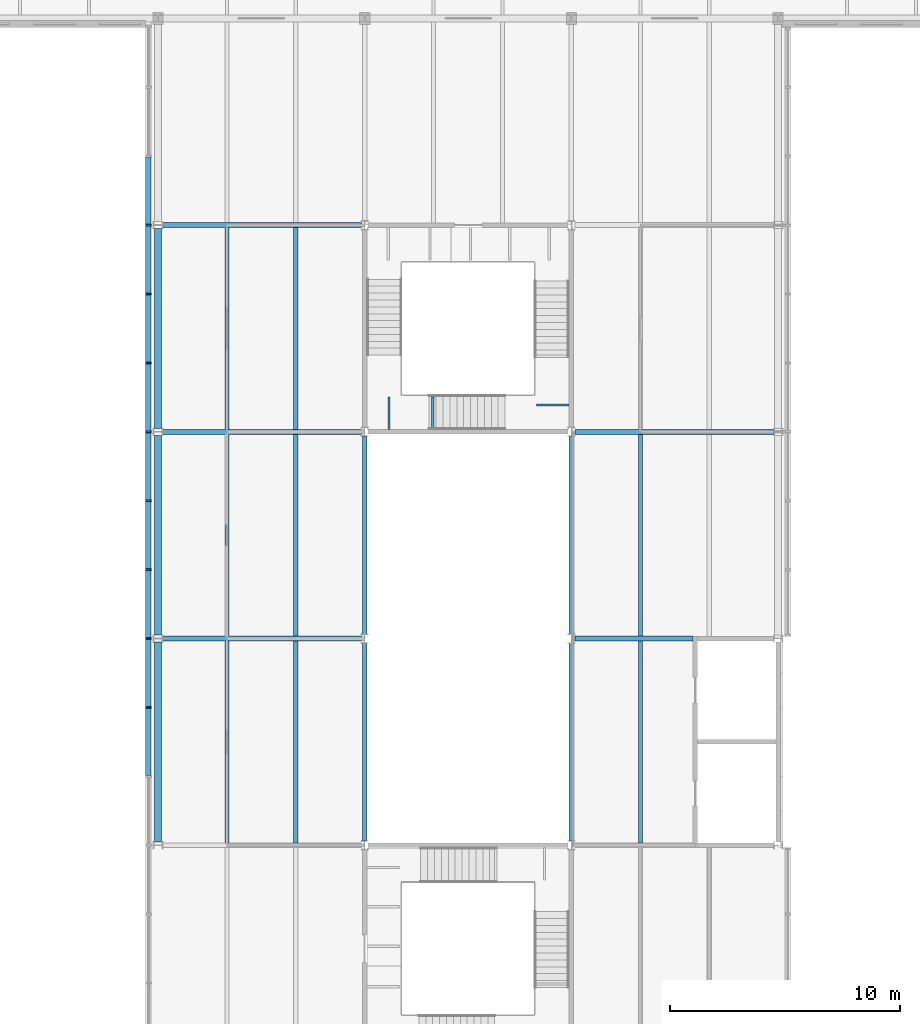
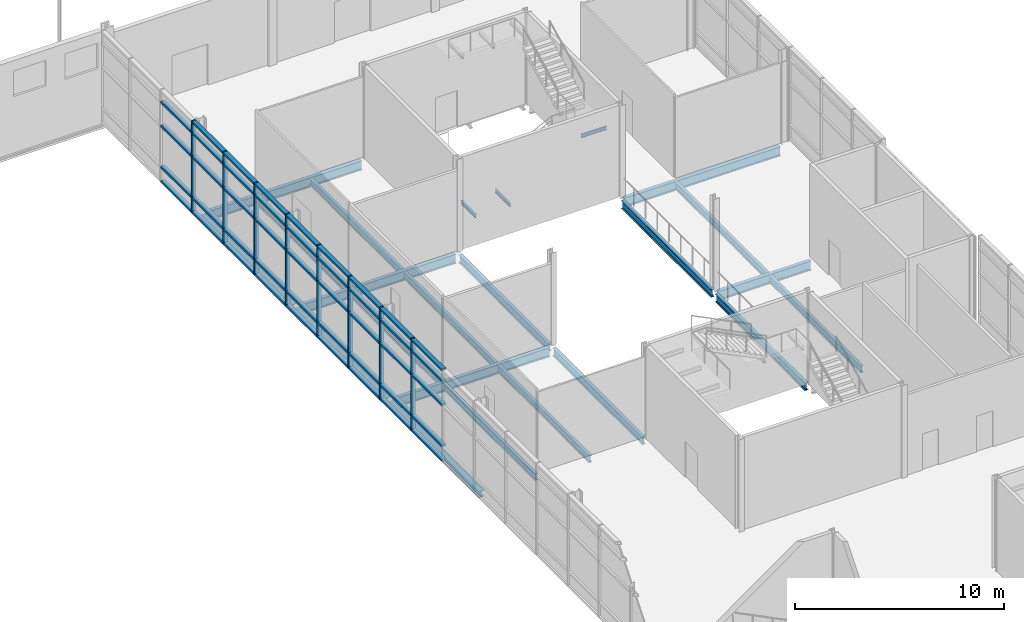
# One storey, part 17 of 56: 52 members, 23 beams, 1 element without a shape of its own.
"""IFC4 building model written with IfcOpenShell, lengths in metres."""

from ifc_helpers import new_model, si_unit, direction, frame, origin, origin_2d, place, context, subcontext, project, spatial, rectangle, i_section, extrude, material, material_profile, profile_set, type_object, element, aggregate, save


model = new_model("IFC4")

# Units and contexts
model_context = context("Model", 3, precision=1e-05, world=origin(), true_north=direction((0.0, 1.0)))
body_context = subcontext(model_context, "Body", "Model", "MODEL_VIEW")
ifc_project = project(units=[si_unit("LENGTHUNIT", "METRE"), si_unit("AREAUNIT", "SQUARE_METRE"), si_unit("VOLUMEUNIT", "CUBIC_METRE"), si_unit("PLANEANGLEUNIT", "RADIAN"), si_unit("MASSUNIT", "GRAM", prefix="KILO")], contexts=[model_context])

# Site, building, storey
site_placement = place(None, origin())
site = spatial("IfcSite", under=ifc_project, at=site_placement, CompositionType="ELEMENT")
building_placement = place(site_placement, origin())
building = spatial("IfcBuilding", under=site, at=building_placement, Name="Azimuth Sports and Learning Centre", CompositionType="ELEMENT")
storey_placement = place(building_placement, frame((0.0, 0.0, 5.39990234375)))
storey = spatial("IfcBuildingStorey", under=building, at=storey_placement, Name="L01", CompositionType="ELEMENT", Elevation=5.39990234375)

# Beams
ifc_material_1 = material(Name="Steel S355", Category="steel")
ifc_material_profile_1 = material_profile(ifc_material_1, i_section(OverallWidth=0.10009765625, OverallDepth=0.199951171875, WebThickness=0.005615234375, FlangeThickness=0.008544921875, FilletRadius=0.011962890625, at=origin_2d()), Name="IPE 200")
ifc_profile_set_1 = profile_set([ifc_material_profile_1], Name="Steel S355")
beam_type_1 = type_object("IfcBeamType", Name="Beam IPE 200", PredefinedType="BEAM", material=ifc_profile_set_1)
for number, where, z_axis, x_axis, name in (
    (1, (82.06005859375, 72.10009765625, 1.5), (0.0, 1.0, 0.0), (-1.0, 0.0, 0.0), "Landing bracket STD L01 1170"),
    (2, (83.9599609375, 72.10009765625, 1.5), (0.0, 1.0, 0.0), (-1.0, 0.0, 0.0), "Landing bracket STD L01 1171"),
    (3, (89.89990234375, 73.172607421875, 3.300048828125), (-1.0, 0.0, 0.0), (0.0, -1.0, 0.0), "Landing bracket STD L01 1172"),
):
    element("IfcBeam", number, at=place(storey_placement, frame(where, z_axis=z_axis, x_axis=x_axis)), inside=storey, type_object=beam_type_1, Name=name, PredefinedType="BEAM", context=body_context, shape_type="SweptSolid", body=[
        extrude(i_section(OverallWidth=0.10009765625, OverallDepth=0.199951171875, WebThickness=0.005615234375, FlangeThickness=0.008544921875, FilletRadius=0.011962890625, at=origin_2d()), origin(), (0.0, 0.0, 1.0), 1.409912109375),
    ])
ifc_material_2 = material(Name="Steel S355", Category="steel")
ifc_material_profile_2 = material_profile(ifc_material_2, i_section(OverallWidth=0.18994140625, OverallDepth=0.449951171875, WebThickness=0.009521484375, FlangeThickness=0.0146484375, FilletRadius=0.02099609375, at=origin_2d()), Name="IPE 450")
ifc_profile_set_2 = profile_set([ifc_material_profile_2], Name="Steel S355")
beam_type_2 = type_object("IfcBeamType", Name="Beam IPE 450", PredefinedType="BEAM", material=ifc_profile_set_2)
for number, where, z_axis, x_axis, name in (
    (4, (81.0, 54.199951171875, -0.375), (0.0, 1.0, 0.0), (-1.0, 0.0, 0.0), "Beam L01 ST 27"),
    (5, (81.0, 63.199951171875, -0.375), (0.0, 1.0, 0.0), (-1.0, 0.0, 0.0), "Beam L01 ST 28"),
    (6, (90.0, 54.199951171875, -0.375), (0.0, 1.0, 0.0), (-1.0, 0.0, 0.0), "Beam L01 ST 33"),
    (7, (90.0, 63.199951171875, -0.375), (0.0, 1.0, 0.0), (-1.0, 0.0, 0.0), "Beam L01 ST 34"),
):
    element("IfcBeam", number, at=place(storey_placement, frame(where, z_axis=z_axis, x_axis=x_axis)), inside=storey, type_object=beam_type_2, Name=name, PredefinedType="BEAM", context=body_context, shape_type="SweptSolid", body=[
        extrude(i_section(OverallWidth=0.18994140625, OverallDepth=0.449951171875, WebThickness=0.009521484375, FlangeThickness=0.0146484375, FilletRadius=0.02099609375, at=origin_2d()), origin(), (0.0, 0.0, 1.0), 8.60009765625),
    ])
ifc_material_3 = material(Name="Steel S355", Category="steel")
ifc_material_profile_3 = material_profile(ifc_material_3, i_section(OverallWidth=0.2099609375, OverallDepth=0.550048828125, WebThickness=0.010986328125, FlangeThickness=0.01708984375, FilletRadius=0.02392578125, at=origin_2d()), Name="IPE 550")
ifc_profile_set_3 = profile_set([ifc_material_profile_3], Name="Steel S355")
beam_type_3 = type_object("IfcBeamType", Name="Beam IPE 550", PredefinedType="BEAM", material=ifc_profile_set_3)
beam_1_placement = place(storey_placement, frame((72.199951171875, 63.0, -0.4248046875), z_axis=(1.0, 0.0, 0.0), x_axis=(0.0, 1.0, 0.0)))
element("IfcBeam", 8, at=beam_1_placement, inside=storey, type_object=beam_type_3, Name="Beam L01 ST 11", PredefinedType="BEAM", context=body_context, shape_type="SweptSolid", body=[
    extrude(i_section(OverallWidth=0.2099609375, OverallDepth=0.550048828125, WebThickness=0.010986328125, FlangeThickness=0.01708984375, FilletRadius=0.02392578125, at=origin_2d()), origin(), (0.0, 0.0, 1.0), 8.650146484375),
])
beam_2_placement = place(storey_placement, frame((90.14990234375, 63.0, -0.4248046875), z_axis=(1.0, 0.0, 0.0), x_axis=(0.0, 1.0, 0.0)))
element("IfcBeam", 9, at=beam_2_placement, inside=storey, type_object=beam_type_3, Name="Beam L01 ST 12", PredefinedType="BEAM", context=body_context, shape_type="SweptSolid", body=[
    extrude(i_section(OverallWidth=0.2099609375, OverallDepth=0.550048828125, WebThickness=0.010986328125, FlangeThickness=0.01708984375, FilletRadius=0.02392578125, at=origin_2d()), origin(), (0.0, 0.0, 1.0), 5.150146484375),
])
for number, where, z_axis, x_axis, name in (
    (10, (72.199951171875, 72.0, -0.4248046875), (1.0, 0.0, 0.0), (0.0, 1.0, 0.0), "Beam L01 ST 13"),
    (11, (90.14990234375, 72.0, -0.4248046875), (1.0, 0.0, 0.0), (0.0, 1.0, 0.0), "Beam L01 ST 14"),
    (12, (72.199951171875, 81.0, -0.4248046875), (1.0, 0.0, 0.0), (0.0, 1.0, 0.0), "Beam L01 ST 15"),
):
    element("IfcBeam", number, at=place(storey_placement, frame(where, z_axis=z_axis, x_axis=x_axis)), inside=storey, type_object=beam_type_3, Name=name, PredefinedType="BEAM", context=body_context, shape_type="SweptSolid", body=[
        extrude(i_section(OverallWidth=0.2099609375, OverallDepth=0.550048828125, WebThickness=0.010986328125, FlangeThickness=0.01708984375, FilletRadius=0.02392578125, at=origin_2d()), origin(), (0.0, 0.0, 1.0), 8.650146484375),
    ])
ifc_material_4 = material(Name="Steel S355", Category="steel")
ifc_material_profile_4 = material_profile(ifc_material_4, i_section(OverallWidth=0.300048828125, OverallDepth=0.35009765625, WebThickness=0.010009765625, FlangeThickness=0.017578125, FilletRadius=0.027099609375, at=origin_2d()), Name="HEA 360")
ifc_profile_set_4 = profile_set([ifc_material_profile_4], Name="Steel S355")
beam_type_4 = type_object("IfcBeamType", Name="Edge beam HEA 360", PredefinedType="SPANDREL", material=ifc_profile_set_4)
for number, where, z_axis, x_axis, name in (
    (13, (72.0, 54.14990234375, -0.324951171875), (0.0, 1.0, 0.0), (-1.0, 0.0, 0.0), "Edge beam L01 ST 20"),
    (14, (72.0, 63.14990234375, -0.324951171875), (0.0, 1.0, 0.0), (-1.0, 0.0, 0.0), "Edge beam L01 ST 21"),
    (15, (72.0, 72.14990234375, -0.324951171875), (0.0, 1.0, 0.0), (-1.0, 0.0, 0.0), "Edge beam L01 ST 22"),
):
    element("IfcBeam", number, at=place(storey_placement, frame(where, z_axis=z_axis, x_axis=x_axis)), inside=storey, type_object=beam_type_4, Name=name, PredefinedType="SPANDREL", context=body_context, shape_type="SweptSolid", body=[
        extrude(i_section(OverallWidth=0.300048828125, OverallDepth=0.35009765625, WebThickness=0.010009765625, FlangeThickness=0.017578125, FilletRadius=0.027099609375, at=origin_2d()), origin(), (0.0, 0.0, 1.0), 8.7001953125),
    ])
ifc_material_5 = material(Name="Steel S355", Category="steel")
ifc_material_profile_5 = material_profile(ifc_material_5, i_section(OverallWidth=0.179931640625, OverallDepth=0.39990234375, WebThickness=0.008544921875, FlangeThickness=0.013427734375, FilletRadius=0.02099609375, at=origin_2d()), Name="IPE 400")
ifc_profile_set_5 = profile_set([ifc_material_profile_5], Name="Steel S355")
beam_type_5 = type_object("IfcBeamType", Name="Joist IPE 400", PredefinedType="JOIST", material=ifc_profile_set_5)
for number, where, z_axis, x_axis, name in (
    (16, (75.0, 54.10498046875, -0.349853515625), (0.0, 1.0, 0.0), (-1.0, 0.0, 0.0), "Joist L01 ST 43"),
    (17, (75.0, 63.10498046875, -0.349853515625), (0.0, 1.0, 0.0), (-1.0, 0.0, 0.0), "Joist L01 ST 44"),
    (18, (75.0, 72.10498046875, -0.349853515625), (0.0, 1.0, 0.0), (-1.0, 0.0, 0.0), "Joist L01 ST 45"),
    (19, (78.0, 54.10498046875, -0.349853515625), (0.0, 1.0, 0.0), (-1.0, 0.0, 0.0), "Joist L01 ST 51"),
    (20, (78.0, 63.10498046875, -0.349853515625), (0.0, 1.0, 0.0), (-1.0, 0.0, 0.0), "Joist L01 ST 52"),
    (21, (78.0, 72.10498046875, -0.349853515625), (0.0, 1.0, 0.0), (-1.0, 0.0, 0.0), "Joist L01 ST 53"),
    (22, (93.0, 54.10498046875, -0.349853515625), (0.0, 1.0, 0.0), (-1.0, 0.0, 0.0), "Joist L01 ST 71"),
    (23, (93.0, 63.10498046875, -0.349853515625), (0.0, 1.0, 0.0), (-1.0, 0.0, 0.0), "Joist L01 ST 72"),
):
    element("IfcBeam", number, at=place(storey_placement, frame(where, z_axis=z_axis, x_axis=x_axis)), inside=storey, type_object=beam_type_5, Name=name, PredefinedType="JOIST", context=body_context, shape_type="SweptSolid", body=[
        extrude(i_section(OverallWidth=0.179931640625, OverallDepth=0.39990234375, WebThickness=0.008544921875, FlangeThickness=0.013427734375, FilletRadius=0.02099609375, at=origin_2d()), origin(), (0.0, 0.0, 1.0), 8.7900390625),
    ])

# Curtain wall, members
ifc_material_6 = material(Name="Aluminium and glass", Category="aluminium")
curtain_wall_type = type_object("IfcCurtainWallType", Name="Curtain wall podium stem 240", PredefinedType="NOTDEFINED", material=ifc_material_6)
curtain_wall_placement = place(storey_placement, origin())
curtain_wall = element("IfcCurtainWall", 24, at=curtain_wall_placement, inside=storey, type_object=curtain_wall_type, Name="Curtain wall CW01-003", PredefinedType="NOTDEFINED")
ifc_material_7 = material(Name="Aluminium", Category="aluminium")
ifc_material_profile_6 = material_profile(ifc_material_7, rectangle(XDim=0.239990234375, YDim=0.080078125, at=origin_2d()), Name="Mullion 80x240")
ifc_profile_set_6 = profile_set([ifc_material_profile_6], Name="Aluminium")
member_type_1 = type_object("IfcMemberType", Name="Mullion 80x240", PredefinedType="MULLION", material=ifc_profile_set_6)
member_1_placement = place(storey_placement, frame((71.580078125, 81.0, 0.0), z_axis=(0.0, 0.0, 1.0), x_axis=(1.0, 0.0, 0.0)))
member_1 = element("IfcMember", 25, at=member_1_placement, type_object=member_type_1, Name="CW01-003 mullion 4", PredefinedType="MULLION", context=body_context, shape_type="SweptSolid", body=[
    extrude(rectangle(XDim=0.239990234375, YDim=0.080078125, at=origin_2d()), origin(), (0.0, 0.0, 1.0), 5.400146484375),
])
member_2_placement = place(storey_placement, frame((71.580078125, 78.0, 0.0), z_axis=(0.0, 0.0, 1.0), x_axis=(1.0, 0.0, 0.0)))
member_2 = element("IfcMember", 26, at=member_2_placement, type_object=member_type_1, Name="CW01-003 mullion 5", PredefinedType="MULLION", context=body_context, shape_type="SweptSolid", body=[
    extrude(rectangle(XDim=0.239990234375, YDim=0.080078125, at=origin_2d()), origin(), (0.0, 0.0, 1.0), 5.400146484375),
])
member_3_placement = place(storey_placement, frame((71.580078125, 75.0, 0.0), z_axis=(0.0, 0.0, 1.0), x_axis=(1.0, 0.0, 0.0)))
member_3 = element("IfcMember", 27, at=member_3_placement, type_object=member_type_1, Name="CW01-003 mullion 6", PredefinedType="MULLION", context=body_context, shape_type="SweptSolid", body=[
    extrude(rectangle(XDim=0.239990234375, YDim=0.080078125, at=origin_2d()), origin(), (0.0, 0.0, 1.0), 5.400146484375),
])
member_4_placement = place(storey_placement, frame((71.580078125, 72.0, 0.0), z_axis=(0.0, 0.0, 1.0), x_axis=(1.0, 0.0, 0.0)))
member_4 = element("IfcMember", 28, at=member_4_placement, type_object=member_type_1, Name="CW01-003 mullion 7", PredefinedType="MULLION", context=body_context, shape_type="SweptSolid", body=[
    extrude(rectangle(XDim=0.239990234375, YDim=0.080078125, at=origin_2d()), origin(), (0.0, 0.0, 1.0), 5.400146484375),
])
member_5_placement = place(storey_placement, frame((71.580078125, 69.0, 0.0), z_axis=(0.0, 0.0, 1.0), x_axis=(1.0, 0.0, 0.0)))
member_5 = element("IfcMember", 29, at=member_5_placement, type_object=member_type_1, Name="CW01-003 mullion 8", PredefinedType="MULLION", context=body_context, shape_type="SweptSolid", body=[
    extrude(rectangle(XDim=0.239990234375, YDim=0.080078125, at=origin_2d()), origin(), (0.0, 0.0, 1.0), 5.400146484375),
])
member_6_placement = place(storey_placement, frame((71.580078125, 66.0, 0.0), z_axis=(0.0, 0.0, 1.0), x_axis=(1.0, 0.0, 0.0)))
member_6 = element("IfcMember", 30, at=member_6_placement, type_object=member_type_1, Name="CW01-003 mullion 9", PredefinedType="MULLION", context=body_context, shape_type="SweptSolid", body=[
    extrude(rectangle(XDim=0.239990234375, YDim=0.080078125, at=origin_2d()), origin(), (0.0, 0.0, 1.0), 5.400146484375),
])
member_7_placement = place(storey_placement, frame((71.580078125, 63.0, 0.0), z_axis=(0.0, 0.0, 1.0), x_axis=(1.0, 0.0, 0.0)))
member_7 = element("IfcMember", 31, at=member_7_placement, type_object=member_type_1, Name="CW01-003 mullion 10", PredefinedType="MULLION", context=body_context, shape_type="SweptSolid", body=[
    extrude(rectangle(XDim=0.239990234375, YDim=0.080078125, at=origin_2d()), origin(), (0.0, 0.0, 1.0), 5.400146484375),
])
member_8_placement = place(storey_placement, frame((71.580078125, 60.0, 0.0), z_axis=(0.0, 0.0, 1.0), x_axis=(1.0, 0.0, 0.0)))
member_8 = element("IfcMember", 32, at=member_8_placement, type_object=member_type_1, Name="CW01-003 mullion 11", PredefinedType="MULLION", context=body_context, shape_type="SweptSolid", body=[
    extrude(rectangle(XDim=0.239990234375, YDim=0.080078125, at=origin_2d()), origin(), (0.0, 0.0, 1.0), 5.400146484375),
])
ifc_material_8 = material(Name="Aluminium", Category="aluminium")
ifc_material_profile_7 = material_profile(ifc_material_8, rectangle(XDim=0.239990234375, YDim=0.1201171875, at=origin_2d()), Name="Transom 120x240")
ifc_profile_set_7 = profile_set([ifc_material_profile_7], Name="Aluminium")
member_type_2 = type_object("IfcMemberType", Name="Transom 120x240", PredefinedType="USERDEFINED", material=ifc_profile_set_7)
member_9_placement = place(storey_placement, frame((71.580078125, 83.9599609375, 0.06005859375), z_axis=(0.0, -1.0, 0.0), x_axis=(1.0, 0.0, 0.0)))
member_9 = element("IfcMember", 33, at=member_9_placement, type_object=member_type_2, Name="CW01-003 transom 3.1", ObjectType="TRANSOM", PredefinedType="USERDEFINED", context=body_context, shape_type="SweptSolid", body=[
    extrude(rectangle(XDim=0.239990234375, YDim=0.1201171875, at=origin_2d()), origin(), (0.0, 0.0, 1.0), 2.919921875),
])
member_10_placement = place(storey_placement, frame((71.580078125, 83.9599609375, 0.900146484375), z_axis=(0.0, -1.0, 0.0), x_axis=(1.0, 0.0, 0.0)))
member_10 = element("IfcMember", 34, at=member_10_placement, type_object=member_type_2, Name="CW01-003 transom 3.2", ObjectType="TRANSOM", PredefinedType="USERDEFINED", context=body_context, shape_type="SweptSolid", body=[
    extrude(rectangle(XDim=0.239990234375, YDim=0.1201171875, at=origin_2d()), origin(), (0.0, 0.0, 1.0), 2.919921875),
])
member_11_placement = place(storey_placement, frame((71.580078125, 83.9599609375, 3.300048828125), z_axis=(0.0, -1.0, 0.0), x_axis=(1.0, 0.0, 0.0)))
member_11 = element("IfcMember", 35, at=member_11_placement, type_object=member_type_2, Name="CW01-003 transom 3.3", ObjectType="TRANSOM", PredefinedType="USERDEFINED", context=body_context, shape_type="SweptSolid", body=[
    extrude(rectangle(XDim=0.239990234375, YDim=0.1201171875, at=origin_2d()), origin(), (0.0, 0.0, 1.0), 2.919921875),
])
member_12_placement = place(storey_placement, frame((71.580078125, 83.9599609375, 4.7001953125), z_axis=(0.0, -1.0, 0.0), x_axis=(1.0, 0.0, 0.0)))
member_12 = element("IfcMember", 36, at=member_12_placement, type_object=member_type_2, Name="CW01-003 transom 3.4", ObjectType="TRANSOM", PredefinedType="USERDEFINED", context=body_context, shape_type="SweptSolid", body=[
    extrude(rectangle(XDim=0.239990234375, YDim=0.1201171875, at=origin_2d()), origin(), (0.0, 0.0, 1.0), 2.919921875),
])
member_13_placement = place(storey_placement, frame((71.580078125, 80.9599609375, 0.06005859375), z_axis=(0.0, -1.0, 0.0), x_axis=(1.0, 0.0, 0.0)))
member_13 = element("IfcMember", 37, at=member_13_placement, type_object=member_type_2, Name="CW01-003 transom 4.1", ObjectType="TRANSOM", PredefinedType="USERDEFINED", context=body_context, shape_type="SweptSolid", body=[
    extrude(rectangle(XDim=0.239990234375, YDim=0.1201171875, at=origin_2d()), origin(), (0.0, 0.0, 1.0), 2.919921875),
])
member_14_placement = place(storey_placement, frame((71.580078125, 80.9599609375, 0.900146484375), z_axis=(0.0, -1.0, 0.0), x_axis=(1.0, 0.0, 0.0)))
member_14 = element("IfcMember", 38, at=member_14_placement, type_object=member_type_2, Name="CW01-003 transom 4.2", ObjectType="TRANSOM", PredefinedType="USERDEFINED", context=body_context, shape_type="SweptSolid", body=[
    extrude(rectangle(XDim=0.239990234375, YDim=0.1201171875, at=origin_2d()), origin(), (0.0, 0.0, 1.0), 2.919921875),
])
member_15_placement = place(storey_placement, frame((71.580078125, 80.9599609375, 3.300048828125), z_axis=(0.0, -1.0, 0.0), x_axis=(1.0, 0.0, 0.0)))
member_15 = element("IfcMember", 39, at=member_15_placement, type_object=member_type_2, Name="CW01-003 transom 4.3", ObjectType="TRANSOM", PredefinedType="USERDEFINED", context=body_context, shape_type="SweptSolid", body=[
    extrude(rectangle(XDim=0.239990234375, YDim=0.1201171875, at=origin_2d()), origin(), (0.0, 0.0, 1.0), 2.919921875),
])
member_16_placement = place(storey_placement, frame((71.580078125, 80.9599609375, 4.7001953125), z_axis=(0.0, -1.0, 0.0), x_axis=(1.0, 0.0, 0.0)))
member_16 = element("IfcMember", 40, at=member_16_placement, type_object=member_type_2, Name="CW01-003 transom 4.4", ObjectType="TRANSOM", PredefinedType="USERDEFINED", context=body_context, shape_type="SweptSolid", body=[
    extrude(rectangle(XDim=0.239990234375, YDim=0.1201171875, at=origin_2d()), origin(), (0.0, 0.0, 1.0), 2.919921875),
])
member_17_placement = place(storey_placement, frame((71.580078125, 80.9599609375, 5.340087890625), z_axis=(0.0, -1.0, 0.0), x_axis=(1.0, 0.0, 0.0)))
member_17 = element("IfcMember", 41, at=member_17_placement, type_object=member_type_2, Name="CW01-003 transom 4.5", ObjectType="TRANSOM", PredefinedType="USERDEFINED", context=body_context, shape_type="SweptSolid", body=[
    extrude(rectangle(XDim=0.239990234375, YDim=0.1201171875, at=origin_2d()), origin(), (0.0, 0.0, 1.0), 2.919921875),
])
member_18_placement = place(storey_placement, frame((71.580078125, 77.9599609375, 0.06005859375), z_axis=(0.0, -1.0, 0.0), x_axis=(1.0, 0.0, 0.0)))
member_18 = element("IfcMember", 42, at=member_18_placement, type_object=member_type_2, Name="CW01-003 transom 5.1", ObjectType="TRANSOM", PredefinedType="USERDEFINED", context=body_context, shape_type="SweptSolid", body=[
    extrude(rectangle(XDim=0.239990234375, YDim=0.1201171875, at=origin_2d()), origin(), (0.0, 0.0, 1.0), 2.919921875),
])
member_19_placement = place(storey_placement, frame((71.580078125, 77.9599609375, 0.900146484375), z_axis=(0.0, -1.0, 0.0), x_axis=(1.0, 0.0, 0.0)))
member_19 = element("IfcMember", 43, at=member_19_placement, type_object=member_type_2, Name="CW01-003 transom 5.2", ObjectType="TRANSOM", PredefinedType="USERDEFINED", context=body_context, shape_type="SweptSolid", body=[
    extrude(rectangle(XDim=0.239990234375, YDim=0.1201171875, at=origin_2d()), origin(), (0.0, 0.0, 1.0), 2.919921875),
])
member_20_placement = place(storey_placement, frame((71.580078125, 77.9599609375, 3.300048828125), z_axis=(0.0, -1.0, 0.0), x_axis=(1.0, 0.0, 0.0)))
member_20 = element("IfcMember", 44, at=member_20_placement, type_object=member_type_2, Name="CW01-003 transom 5.3", ObjectType="TRANSOM", PredefinedType="USERDEFINED", context=body_context, shape_type="SweptSolid", body=[
    extrude(rectangle(XDim=0.239990234375, YDim=0.1201171875, at=origin_2d()), origin(), (0.0, 0.0, 1.0), 2.919921875),
])
member_21_placement = place(storey_placement, frame((71.580078125, 77.9599609375, 4.7001953125), z_axis=(0.0, -1.0, 0.0), x_axis=(1.0, 0.0, 0.0)))
member_21 = element("IfcMember", 45, at=member_21_placement, type_object=member_type_2, Name="CW01-003 transom 5.4", ObjectType="TRANSOM", PredefinedType="USERDEFINED", context=body_context, shape_type="SweptSolid", body=[
    extrude(rectangle(XDim=0.239990234375, YDim=0.1201171875, at=origin_2d()), origin(), (0.0, 0.0, 1.0), 2.919921875),
])
member_22_placement = place(storey_placement, frame((71.580078125, 77.9599609375, 5.340087890625), z_axis=(0.0, -1.0, 0.0), x_axis=(1.0, 0.0, 0.0)))
member_22 = element("IfcMember", 46, at=member_22_placement, type_object=member_type_2, Name="CW01-003 transom 5.5", ObjectType="TRANSOM", PredefinedType="USERDEFINED", context=body_context, shape_type="SweptSolid", body=[
    extrude(rectangle(XDim=0.239990234375, YDim=0.1201171875, at=origin_2d()), origin(), (0.0, 0.0, 1.0), 2.919921875),
])
member_23_placement = place(storey_placement, frame((71.580078125, 74.9599609375, 0.06005859375), z_axis=(0.0, -1.0, 0.0), x_axis=(1.0, 0.0, 0.0)))
member_23 = element("IfcMember", 47, at=member_23_placement, type_object=member_type_2, Name="CW01-003 transom 6.1", ObjectType="TRANSOM", PredefinedType="USERDEFINED", context=body_context, shape_type="SweptSolid", body=[
    extrude(rectangle(XDim=0.239990234375, YDim=0.1201171875, at=origin_2d()), origin(), (0.0, 0.0, 1.0), 2.919921875),
])
member_24_placement = place(storey_placement, frame((71.580078125, 74.9599609375, 0.900146484375), z_axis=(0.0, -1.0, 0.0), x_axis=(1.0, 0.0, 0.0)))
member_24 = element("IfcMember", 48, at=member_24_placement, type_object=member_type_2, Name="CW01-003 transom 6.2", ObjectType="TRANSOM", PredefinedType="USERDEFINED", context=body_context, shape_type="SweptSolid", body=[
    extrude(rectangle(XDim=0.239990234375, YDim=0.1201171875, at=origin_2d()), origin(), (0.0, 0.0, 1.0), 2.919921875),
])
member_25_placement = place(storey_placement, frame((71.580078125, 74.9599609375, 3.300048828125), z_axis=(0.0, -1.0, 0.0), x_axis=(1.0, 0.0, 0.0)))
member_25 = element("IfcMember", 49, at=member_25_placement, type_object=member_type_2, Name="CW01-003 transom 6.3", ObjectType="TRANSOM", PredefinedType="USERDEFINED", context=body_context, shape_type="SweptSolid", body=[
    extrude(rectangle(XDim=0.239990234375, YDim=0.1201171875, at=origin_2d()), origin(), (0.0, 0.0, 1.0), 2.919921875),
])
member_26_placement = place(storey_placement, frame((71.580078125, 74.9599609375, 4.7001953125), z_axis=(0.0, -1.0, 0.0), x_axis=(1.0, 0.0, 0.0)))
member_26 = element("IfcMember", 50, at=member_26_placement, type_object=member_type_2, Name="CW01-003 transom 6.4", ObjectType="TRANSOM", PredefinedType="USERDEFINED", context=body_context, shape_type="SweptSolid", body=[
    extrude(rectangle(XDim=0.239990234375, YDim=0.1201171875, at=origin_2d()), origin(), (0.0, 0.0, 1.0), 2.919921875),
])
member_27_placement = place(storey_placement, frame((71.580078125, 74.9599609375, 5.340087890625), z_axis=(0.0, -1.0, 0.0), x_axis=(1.0, 0.0, 0.0)))
member_27 = element("IfcMember", 51, at=member_27_placement, type_object=member_type_2, Name="CW01-003 transom 6.5", ObjectType="TRANSOM", PredefinedType="USERDEFINED", context=body_context, shape_type="SweptSolid", body=[
    extrude(rectangle(XDim=0.239990234375, YDim=0.1201171875, at=origin_2d()), origin(), (0.0, 0.0, 1.0), 2.919921875),
])
member_28_placement = place(storey_placement, frame((71.580078125, 71.9599609375, 0.06005859375), z_axis=(0.0, -1.0, 0.0), x_axis=(1.0, 0.0, 0.0)))
member_28 = element("IfcMember", 52, at=member_28_placement, type_object=member_type_2, Name="CW01-003 transom 7.1", ObjectType="TRANSOM", PredefinedType="USERDEFINED", context=body_context, shape_type="SweptSolid", body=[
    extrude(rectangle(XDim=0.239990234375, YDim=0.1201171875, at=origin_2d()), origin(), (0.0, 0.0, 1.0), 2.919921875),
])
member_29_placement = place(storey_placement, frame((71.580078125, 71.9599609375, 0.900146484375), z_axis=(0.0, -1.0, 0.0), x_axis=(1.0, 0.0, 0.0)))
member_29 = element("IfcMember", 53, at=member_29_placement, type_object=member_type_2, Name="CW01-003 transom 7.2", ObjectType="TRANSOM", PredefinedType="USERDEFINED", context=body_context, shape_type="SweptSolid", body=[
    extrude(rectangle(XDim=0.239990234375, YDim=0.1201171875, at=origin_2d()), origin(), (0.0, 0.0, 1.0), 2.919921875),
])
member_30_placement = place(storey_placement, frame((71.580078125, 71.9599609375, 3.300048828125), z_axis=(0.0, -1.0, 0.0), x_axis=(1.0, 0.0, 0.0)))
member_30 = element("IfcMember", 54, at=member_30_placement, type_object=member_type_2, Name="CW01-003 transom 7.3", ObjectType="TRANSOM", PredefinedType="USERDEFINED", context=body_context, shape_type="SweptSolid", body=[
    extrude(rectangle(XDim=0.239990234375, YDim=0.1201171875, at=origin_2d()), origin(), (0.0, 0.0, 1.0), 2.919921875),
])
member_31_placement = place(storey_placement, frame((71.580078125, 71.9599609375, 4.7001953125), z_axis=(0.0, -1.0, 0.0), x_axis=(1.0, 0.0, 0.0)))
member_31 = element("IfcMember", 55, at=member_31_placement, type_object=member_type_2, Name="CW01-003 transom 7.4", ObjectType="TRANSOM", PredefinedType="USERDEFINED", context=body_context, shape_type="SweptSolid", body=[
    extrude(rectangle(XDim=0.239990234375, YDim=0.1201171875, at=origin_2d()), origin(), (0.0, 0.0, 1.0), 2.919921875),
])
member_32_placement = place(storey_placement, frame((71.580078125, 71.9599609375, 5.340087890625), z_axis=(0.0, -1.0, 0.0), x_axis=(1.0, 0.0, 0.0)))
member_32 = element("IfcMember", 56, at=member_32_placement, type_object=member_type_2, Name="CW01-003 transom 7.5", ObjectType="TRANSOM", PredefinedType="USERDEFINED", context=body_context, shape_type="SweptSolid", body=[
    extrude(rectangle(XDim=0.239990234375, YDim=0.1201171875, at=origin_2d()), origin(), (0.0, 0.0, 1.0), 2.919921875),
])
member_33_placement = place(storey_placement, frame((71.580078125, 68.9599609375, 0.06005859375), z_axis=(0.0, -1.0, 0.0), x_axis=(1.0, 0.0, 0.0)))
member_33 = element("IfcMember", 57, at=member_33_placement, type_object=member_type_2, Name="CW01-003 transom 8.1", ObjectType="TRANSOM", PredefinedType="USERDEFINED", context=body_context, shape_type="SweptSolid", body=[
    extrude(rectangle(XDim=0.239990234375, YDim=0.1201171875, at=origin_2d()), origin(), (0.0, 0.0, 1.0), 2.919921875),
])
member_34_placement = place(storey_placement, frame((71.580078125, 68.9599609375, 0.900146484375), z_axis=(0.0, -1.0, 0.0), x_axis=(1.0, 0.0, 0.0)))
member_34 = element("IfcMember", 58, at=member_34_placement, type_object=member_type_2, Name="CW01-003 transom 8.2", ObjectType="TRANSOM", PredefinedType="USERDEFINED", context=body_context, shape_type="SweptSolid", body=[
    extrude(rectangle(XDim=0.239990234375, YDim=0.1201171875, at=origin_2d()), origin(), (0.0, 0.0, 1.0), 2.919921875),
])
member_35_placement = place(storey_placement, frame((71.580078125, 68.9599609375, 3.300048828125), z_axis=(0.0, -1.0, 0.0), x_axis=(1.0, 0.0, 0.0)))
member_35 = element("IfcMember", 59, at=member_35_placement, type_object=member_type_2, Name="CW01-003 transom 8.3", ObjectType="TRANSOM", PredefinedType="USERDEFINED", context=body_context, shape_type="SweptSolid", body=[
    extrude(rectangle(XDim=0.239990234375, YDim=0.1201171875, at=origin_2d()), origin(), (0.0, 0.0, 1.0), 2.919921875),
])
member_36_placement = place(storey_placement, frame((71.580078125, 68.9599609375, 4.7001953125), z_axis=(0.0, -1.0, 0.0), x_axis=(1.0, 0.0, 0.0)))
member_36 = element("IfcMember", 60, at=member_36_placement, type_object=member_type_2, Name="CW01-003 transom 8.4", ObjectType="TRANSOM", PredefinedType="USERDEFINED", context=body_context, shape_type="SweptSolid", body=[
    extrude(rectangle(XDim=0.239990234375, YDim=0.1201171875, at=origin_2d()), origin(), (0.0, 0.0, 1.0), 2.919921875),
])
member_37_placement = place(storey_placement, frame((71.580078125, 68.9599609375, 5.340087890625), z_axis=(0.0, -1.0, 0.0), x_axis=(1.0, 0.0, 0.0)))
member_37 = element("IfcMember", 61, at=member_37_placement, type_object=member_type_2, Name="CW01-003 transom 8.5", ObjectType="TRANSOM", PredefinedType="USERDEFINED", context=body_context, shape_type="SweptSolid", body=[
    extrude(rectangle(XDim=0.239990234375, YDim=0.1201171875, at=origin_2d()), origin(), (0.0, 0.0, 1.0), 2.919921875),
])
member_38_placement = place(storey_placement, frame((71.580078125, 65.9599609375, 0.06005859375), z_axis=(0.0, -1.0, 0.0), x_axis=(1.0, 0.0, 0.0)))
member_38 = element("IfcMember", 62, at=member_38_placement, type_object=member_type_2, Name="CW01-003 transom 9.1", ObjectType="TRANSOM", PredefinedType="USERDEFINED", context=body_context, shape_type="SweptSolid", body=[
    extrude(rectangle(XDim=0.239990234375, YDim=0.1201171875, at=origin_2d()), origin(), (0.0, 0.0, 1.0), 2.919921875),
])
member_39_placement = place(storey_placement, frame((71.580078125, 65.9599609375, 0.900146484375), z_axis=(0.0, -1.0, 0.0), x_axis=(1.0, 0.0, 0.0)))
member_39 = element("IfcMember", 63, at=member_39_placement, type_object=member_type_2, Name="CW01-003 transom 9.2", ObjectType="TRANSOM", PredefinedType="USERDEFINED", context=body_context, shape_type="SweptSolid", body=[
    extrude(rectangle(XDim=0.239990234375, YDim=0.1201171875, at=origin_2d()), origin(), (0.0, 0.0, 1.0), 2.919921875),
])
member_40_placement = place(storey_placement, frame((71.580078125, 65.9599609375, 3.300048828125), z_axis=(0.0, -1.0, 0.0), x_axis=(1.0, 0.0, 0.0)))
member_40 = element("IfcMember", 64, at=member_40_placement, type_object=member_type_2, Name="CW01-003 transom 9.3", ObjectType="TRANSOM", PredefinedType="USERDEFINED", context=body_context, shape_type="SweptSolid", body=[
    extrude(rectangle(XDim=0.239990234375, YDim=0.1201171875, at=origin_2d()), origin(), (0.0, 0.0, 1.0), 2.919921875),
])
member_41_placement = place(storey_placement, frame((71.580078125, 65.9599609375, 4.7001953125), z_axis=(0.0, -1.0, 0.0), x_axis=(1.0, 0.0, 0.0)))
member_41 = element("IfcMember", 65, at=member_41_placement, type_object=member_type_2, Name="CW01-003 transom 9.4", ObjectType="TRANSOM", PredefinedType="USERDEFINED", context=body_context, shape_type="SweptSolid", body=[
    extrude(rectangle(XDim=0.239990234375, YDim=0.1201171875, at=origin_2d()), origin(), (0.0, 0.0, 1.0), 2.919921875),
])
member_42_placement = place(storey_placement, frame((71.580078125, 65.9599609375, 5.340087890625), z_axis=(0.0, -1.0, 0.0), x_axis=(1.0, 0.0, 0.0)))
member_42 = element("IfcMember", 66, at=member_42_placement, type_object=member_type_2, Name="CW01-003 transom 9.5", ObjectType="TRANSOM", PredefinedType="USERDEFINED", context=body_context, shape_type="SweptSolid", body=[
    extrude(rectangle(XDim=0.239990234375, YDim=0.1201171875, at=origin_2d()), origin(), (0.0, 0.0, 1.0), 2.919921875),
])
member_43_placement = place(storey_placement, frame((71.580078125, 62.9599609375, 0.06005859375), z_axis=(0.0, -1.0, 0.0), x_axis=(1.0, 0.0, 0.0)))
member_43 = element("IfcMember", 67, at=member_43_placement, type_object=member_type_2, Name="CW01-003 transom 10.1", ObjectType="TRANSOM", PredefinedType="USERDEFINED", context=body_context, shape_type="SweptSolid", body=[
    extrude(rectangle(XDim=0.239990234375, YDim=0.1201171875, at=origin_2d()), origin(), (0.0, 0.0, 1.0), 2.919921875),
])
member_44_placement = place(storey_placement, frame((71.580078125, 62.9599609375, 0.900146484375), z_axis=(0.0, -1.0, 0.0), x_axis=(1.0, 0.0, 0.0)))
member_44 = element("IfcMember", 68, at=member_44_placement, type_object=member_type_2, Name="CW01-003 transom 10.2", ObjectType="TRANSOM", PredefinedType="USERDEFINED", context=body_context, shape_type="SweptSolid", body=[
    extrude(rectangle(XDim=0.239990234375, YDim=0.1201171875, at=origin_2d()), origin(), (0.0, 0.0, 1.0), 2.919921875),
])
member_45_placement = place(storey_placement, frame((71.580078125, 62.9599609375, 3.300048828125), z_axis=(0.0, -1.0, 0.0), x_axis=(1.0, 0.0, 0.0)))
member_45 = element("IfcMember", 69, at=member_45_placement, type_object=member_type_2, Name="CW01-003 transom 10.3", ObjectType="TRANSOM", PredefinedType="USERDEFINED", context=body_context, shape_type="SweptSolid", body=[
    extrude(rectangle(XDim=0.239990234375, YDim=0.1201171875, at=origin_2d()), origin(), (0.0, 0.0, 1.0), 2.919921875),
])
member_46_placement = place(storey_placement, frame((71.580078125, 62.9599609375, 4.7001953125), z_axis=(0.0, -1.0, 0.0), x_axis=(1.0, 0.0, 0.0)))
member_46 = element("IfcMember", 70, at=member_46_placement, type_object=member_type_2, Name="CW01-003 transom 10.4", ObjectType="TRANSOM", PredefinedType="USERDEFINED", context=body_context, shape_type="SweptSolid", body=[
    extrude(rectangle(XDim=0.239990234375, YDim=0.1201171875, at=origin_2d()), origin(), (0.0, 0.0, 1.0), 2.919921875),
])
member_47_placement = place(storey_placement, frame((71.580078125, 62.9599609375, 5.340087890625), z_axis=(0.0, -1.0, 0.0), x_axis=(1.0, 0.0, 0.0)))
member_47 = element("IfcMember", 71, at=member_47_placement, type_object=member_type_2, Name="CW01-003 transom 10.5", ObjectType="TRANSOM", PredefinedType="USERDEFINED", context=body_context, shape_type="SweptSolid", body=[
    extrude(rectangle(XDim=0.239990234375, YDim=0.1201171875, at=origin_2d()), origin(), (0.0, 0.0, 1.0), 2.919921875),
])
member_48_placement = place(storey_placement, frame((71.580078125, 59.9599609375, 0.06005859375), z_axis=(0.0, -1.0, 0.0), x_axis=(1.0, 0.0, 0.0)))
member_48 = element("IfcMember", 72, at=member_48_placement, type_object=member_type_2, Name="CW01-003 transom 11.1", ObjectType="TRANSOM", PredefinedType="USERDEFINED", context=body_context, shape_type="SweptSolid", body=[
    extrude(rectangle(XDim=0.239990234375, YDim=0.1201171875, at=origin_2d()), origin(), (0.0, 0.0, 1.0), 2.919921875),
])
member_49_placement = place(storey_placement, frame((71.580078125, 59.9599609375, 0.900146484375), z_axis=(0.0, -1.0, 0.0), x_axis=(1.0, 0.0, 0.0)))
member_49 = element("IfcMember", 73, at=member_49_placement, type_object=member_type_2, Name="CW01-003 transom 11.2", ObjectType="TRANSOM", PredefinedType="USERDEFINED", context=body_context, shape_type="SweptSolid", body=[
    extrude(rectangle(XDim=0.239990234375, YDim=0.1201171875, at=origin_2d()), origin(), (0.0, 0.0, 1.0), 2.919921875),
])
member_50_placement = place(storey_placement, frame((71.580078125, 59.9599609375, 3.300048828125), z_axis=(0.0, -1.0, 0.0), x_axis=(1.0, 0.0, 0.0)))
member_50 = element("IfcMember", 74, at=member_50_placement, type_object=member_type_2, Name="CW01-003 transom 11.3", ObjectType="TRANSOM", PredefinedType="USERDEFINED", context=body_context, shape_type="SweptSolid", body=[
    extrude(rectangle(XDim=0.239990234375, YDim=0.1201171875, at=origin_2d()), origin(), (0.0, 0.0, 1.0), 2.919921875),
])
member_51_placement = place(storey_placement, frame((71.580078125, 59.9599609375, 4.7001953125), z_axis=(0.0, -1.0, 0.0), x_axis=(1.0, 0.0, 0.0)))
member_51 = element("IfcMember", 75, at=member_51_placement, type_object=member_type_2, Name="CW01-003 transom 11.4", ObjectType="TRANSOM", PredefinedType="USERDEFINED", context=body_context, shape_type="SweptSolid", body=[
    extrude(rectangle(XDim=0.239990234375, YDim=0.1201171875, at=origin_2d()), origin(), (0.0, 0.0, 1.0), 2.919921875),
])
member_52_placement = place(storey_placement, frame((71.580078125, 59.9599609375, 5.340087890625), z_axis=(0.0, -1.0, 0.0), x_axis=(1.0, 0.0, 0.0)))
member_52 = element("IfcMember", 76, at=member_52_placement, type_object=member_type_2, Name="CW01-003 transom 11.5", ObjectType="TRANSOM", PredefinedType="USERDEFINED", context=body_context, shape_type="SweptSolid", body=[
    extrude(rectangle(XDim=0.239990234375, YDim=0.1201171875, at=origin_2d()), origin(), (0.0, 0.0, 1.0), 2.919921875),
])
aggregate(curtain_wall, [member_1, member_2, member_3, member_4, member_5, member_6, member_7, member_8, member_9, member_10, member_11, member_12, member_13, member_14, member_15, member_16, member_17, member_18, member_19, member_20, member_21, member_22, member_23, member_24, member_25, member_26, member_27, member_28, member_29, member_30, member_31, member_32, member_33, member_34, member_35, member_36, member_37, member_38, member_39, member_40, member_41, member_42, member_43, member_44, member_45, member_46, member_47, member_48, member_49, member_50, member_51, member_52])

save(model, "model.ifc")
